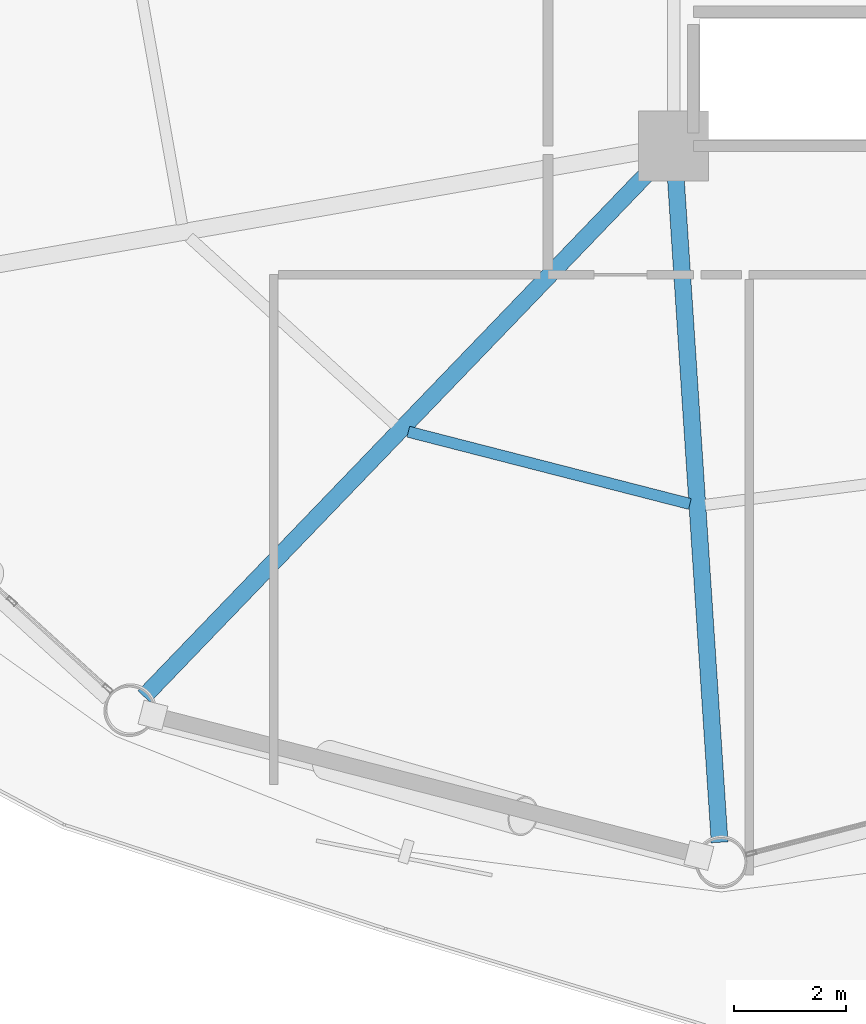
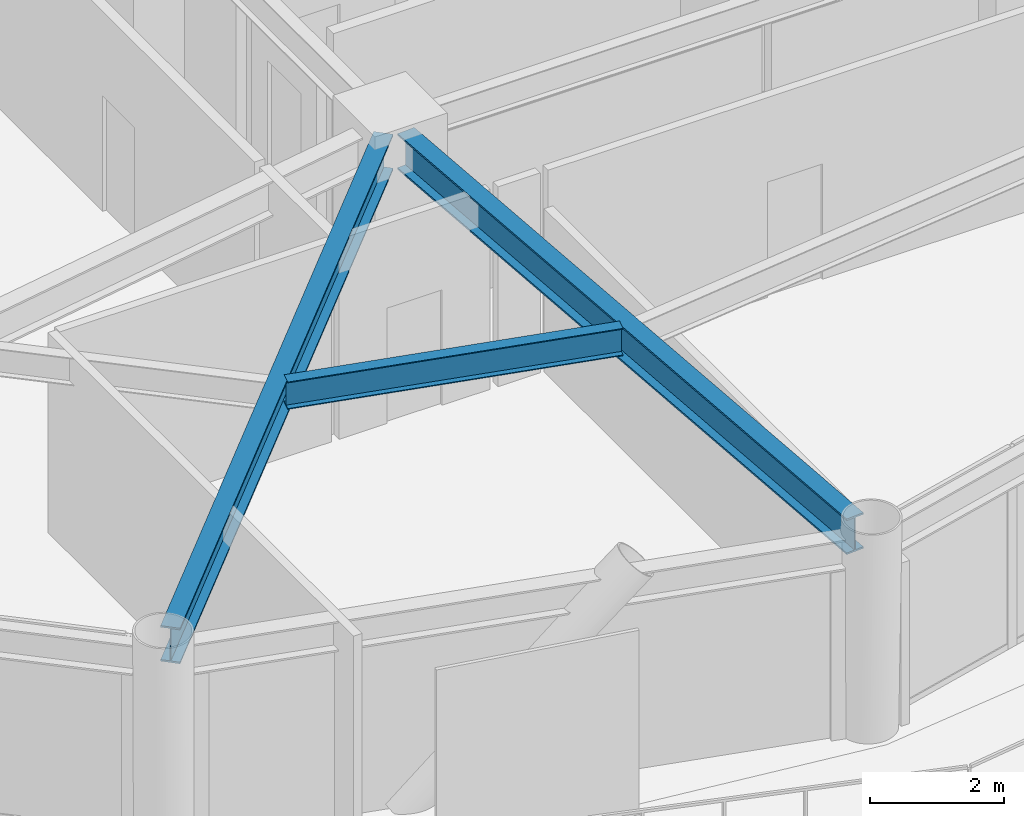
# One storey, part 6 of 25: 3 beams.
"""IFC4 building model written with IfcOpenShell, lengths in metres."""

from ifc_helpers import new_model, si_unit, direction, frame, origin, origin_2d, place, context, subcontext, project, spatial, i_section, extrude, material, material_profile, profile_set, type_object, element, save


model = new_model("IFC4")

# Units and contexts
model_context = context("Model", 3, precision=1e-05, world=origin(), true_north=direction((0.0, 1.0)))
body_context = subcontext(model_context, "Body", "Model", "MODEL_VIEW")
ifc_project = project(units=[si_unit("LENGTHUNIT", "METRE"), si_unit("AREAUNIT", "SQUARE_METRE"), si_unit("VOLUMEUNIT", "CUBIC_METRE"), si_unit("PLANEANGLEUNIT", "RADIAN"), si_unit("MASSUNIT", "GRAM", prefix="KILO")], contexts=[model_context])

# Site, building, storey
site_placement = place(None, origin())
site = spatial("IfcSite", under=ifc_project, at=site_placement, CompositionType="ELEMENT")
building_placement = place(site_placement, origin())
building = spatial("IfcBuilding", under=site, at=building_placement, Name="Varnakorn Sky Granary", CompositionType="ELEMENT")
storey_placement = place(building_placement, frame((0.0, 0.0, 54.89990234375)))
storey = spatial("IfcBuildingStorey", under=building, at=storey_placement, Name="L13", CompositionType="ELEMENT", Elevation=54.89990234375)

# Beams
ifc_material = material(Name="Steel S355JR", Category="steel")
ifc_material_profile_1 = material_profile(ifc_material, i_section(OverallWidth=0.300048828125, OverallDepth=0.64990234375, WebThickness=0.01611328125, FlangeThickness=0.031005859375, at=origin_2d()), Name="HE 650 B")
ifc_profile_set_1 = profile_set([ifc_material_profile_1], Name="Steel S355JR")
beam_type_1 = type_object("IfcBeamType", Name="BM-RAD-Z1", PredefinedType="BEAM", material=ifc_profile_set_1)
beam_1_placement = place(storey_placement, frame((-2.64111328125, -6.902587890625, 3.315185546875), z_axis=(-0.693310273967, -0.720639205159, 0.0), x_axis=(0.720639205159, -0.693310273967, 0.0)))
element("IfcBeam", 1, at=beam_1_placement, inside=storey, type_object=beam_type_1, Name="Radial Floor Girder RG09 L13", PredefinedType="BEAM", context=body_context, shape_type="SweptSolid", body=[
    extrude(i_section(OverallWidth=0.300048828125, OverallDepth=0.64990234375, WebThickness=0.01611328125, FlangeThickness=0.031005859375, at=origin_2d()), origin(), (0.0, 0.0, 1.0), 13.2392578125),
])
beam_2_placement = place(storey_placement, frame((-2.322509765625, -7.01904296875, 3.315185546875), z_axis=(0.065813370618, -0.997831949903, 0.0), x_axis=(0.997831949903, 0.065813370618, 0.0)))
element("IfcBeam", 2, at=beam_2_placement, inside=storey, type_object=beam_type_1, Name="Radial Floor Girder RG10 L13", PredefinedType="BEAM", context=body_context, shape_type="SweptSolid", body=[
    extrude(i_section(OverallWidth=0.300048828125, OverallDepth=0.64990234375, WebThickness=0.01611328125, FlangeThickness=0.031005859375, at=origin_2d()), origin(), (0.0, 0.0, 1.0), 12.05615234375),
])
ifc_material_profile_2 = material_profile(ifc_material, i_section(OverallWidth=0.199951171875, OverallDepth=0.5, WebThickness=0.01025390625, FlangeThickness=0.01611328125, at=origin_2d()), Name="IPE 500")
ifc_profile_set_2 = profile_set([ifc_material_profile_2], Name="Steel S355JR")
beam_type_2 = type_object("IfcBeamType", Name="BM-SEC-Z1", PredefinedType="BEAM", material=ifc_profile_set_2)
beam_3_placement = place(storey_placement, frame((-7.094970703125, -11.707763671875, 3.39013671875), z_axis=(0.968626178447, -0.248522285575, 0.0), x_axis=(0.248522285575, 0.968626178447, 0.0)))
element("IfcBeam", 3, at=beam_3_placement, inside=storey, type_object=beam_type_2, Name="Secondary Floor Chord Beam MSB09 L13", PredefinedType="BEAM", context=body_context, shape_type="SweptSolid", body=[
    extrude(i_section(OverallWidth=0.199951171875, OverallDepth=0.5, WebThickness=0.01025390625, FlangeThickness=0.01611328125, at=origin_2d()), origin(), (0.0, 0.0, 1.0), 5.19677734375),
])

save(model, "model.ifc")
